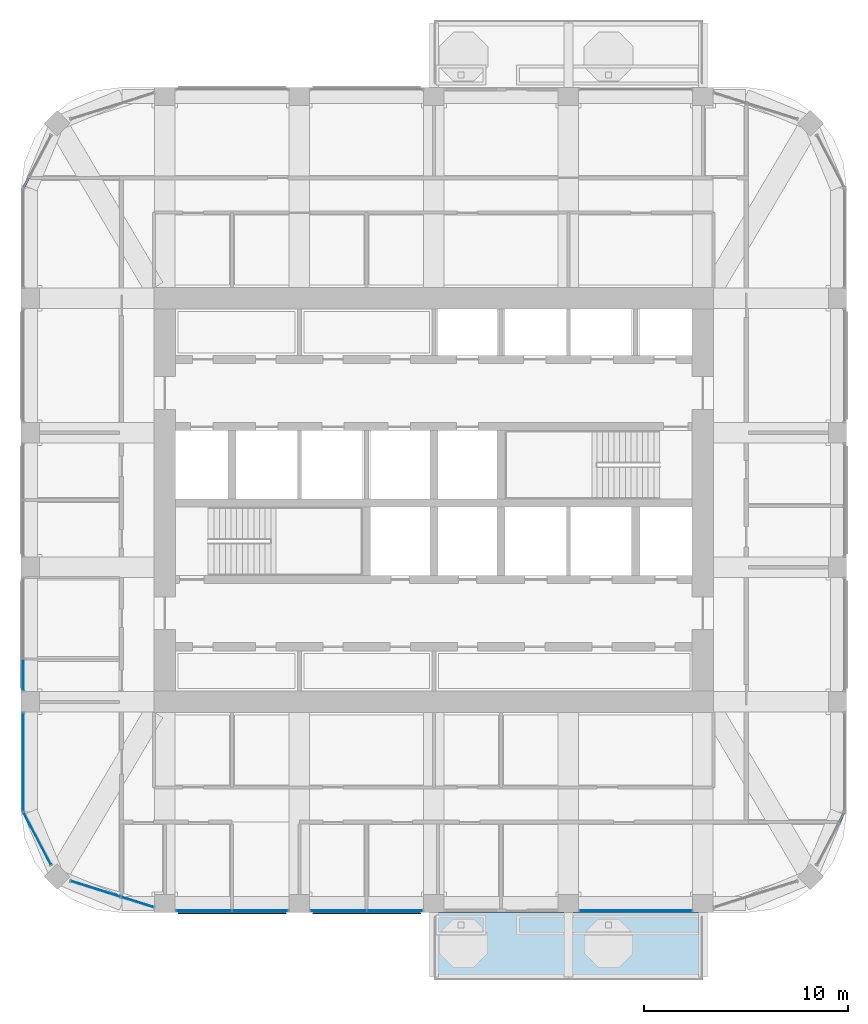
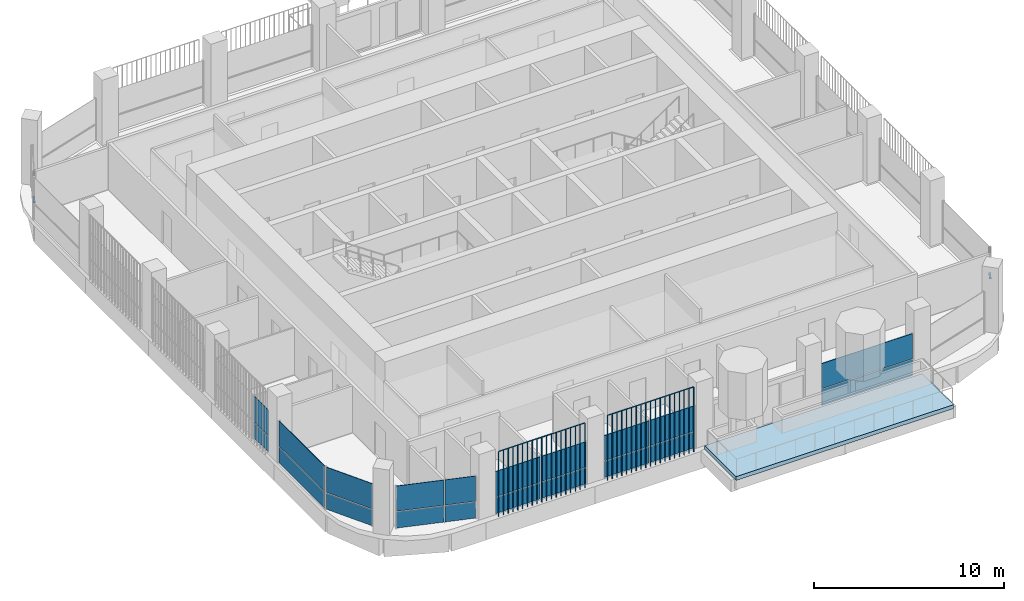
# One storey, part 8 of 21: 22 plates, 2 members, 1 slab, 9 elements without a shape of their own.
"""IFC4 building model written with IfcOpenShell, lengths in metres."""

import ifcopenshell
import ifcopenshell.guid

model = None  # the IFC model being written
_history = None  # IfcOwnerHistory: only IFC2X3 demands one
_inside = {}  # id of a spatial element -> (the spatial element, [elements in it])
_under = {}  # id of a project, library or spatial element -> (it, [spatial elements below it])
_declared = {}  # id of a project -> (the project, [libraries it declares])
_typed = {}  # id of a type object -> (the type object, [elements of that type])
_made_of = {}  # id of a material, layer set ... -> (it, [elements and type objects made of it])


def new_model(schema):
    """Start an empty IFC model of exactly this schema.

    Asked for "IFC4X3", IfcOpenShell would pick the latest addendum, in which some entities
    have other attributes; the version numbers below select the first issue.
    IFC2X3 requires an IfcOwnerHistory on every rooted entity: one is made here for all.
    """
    global model, _history
    if schema == "IFC4X3":
        model = ifcopenshell.file(schema_version=(4, 3, 0, 0))
    else:
        model = ifcopenshell.file(schema=schema)
    _inside.clear()
    _under.clear()
    _declared.clear()
    _typed.clear()
    _made_of.clear()
    _history = None
    if model.schema == "IFC2X3":
        org = make("IfcOrganization", Name="unknown")
        user = make(
            "IfcPersonAndOrganization",
            ThePerson=make("IfcPerson", FamilyName="unknown"),
            TheOrganization=org,
        )
        app = make(
            "IfcApplication",
            ApplicationDeveloper=org,
            Version="unknown",
            ApplicationFullName="unknown",
            ApplicationIdentifier="unknown",
        )
        _history = make(
            "IfcOwnerHistory",
            OwningUser=user,
            OwningApplication=app,
            ChangeAction="ADDED",
            CreationDate=0,
        )
    return model


def make(cls, **values):
    """One entity of the class cls with the attributes given. An attribute that is None is left unset."""
    return model.create_entity(
        cls, **{name: value for name, value in values.items() if value is not None}
    )


def rooted(cls, **values):
    """An entity with a GlobalId (a new one), such as an element, a storey or a relation."""
    return make(cls, GlobalId=ifcopenshell.guid.new(), OwnerHistory=_history, **values)


def si_unit(unit_type, name, prefix=None):
    """IfcSIUnit, for example si_unit("LENGTHUNIT", "METRE", prefix="MILLI")."""
    return make("IfcSIUnit", UnitType=unit_type, Prefix=prefix, Name=name)


def assignment(units):
    """IfcUnitAssignment: the units of a project."""
    return None if units is None else make("IfcUnitAssignment", Units=units)


def point(xyz):
    """IfcCartesianPoint."""
    return None if xyz is None else make("IfcCartesianPoint", Coordinates=xyz)


def direction(xyz):
    """IfcDirection."""
    return None if xyz is None else make("IfcDirection", DirectionRatios=xyz)


def frame(location, z_axis=None, x_axis=None):
    """IfcAxis2Placement3D, a coordinate frame: its origin and axes. An axis left out is left unset."""
    return make(
        "IfcAxis2Placement3D",
        Location=point(location),
        Axis=direction(z_axis),
        RefDirection=direction(x_axis),
    )


def frame_2d(location, x_axis=None):
    """IfcAxis2Placement2D, a coordinate frame in the plane: its origin and x axis."""
    return make(
        "IfcAxis2Placement2D", Location=point(location), RefDirection=direction(x_axis)
    )


def origin():
    """The frame at (0, 0, 0) with its axes left unset."""
    return frame((0.0, 0.0, 0.0))


def origin_2d():
    """The frame at (0, 0) in the plane with its x axis left unset."""
    return frame_2d((0.0, 0.0))


def place(relative_to, where):
    """IfcLocalPlacement: puts the frame where relative to a parent placement (None: the world)."""
    return make(
        "IfcLocalPlacement", PlacementRelTo=relative_to, RelativePlacement=where
    )


def context(
    kind, dimensions, precision=None, world=None, true_north=None, identifier=None
):
    """IfcGeometricRepresentationContext, for example the 3D "Model" context."""
    return make(
        "IfcGeometricRepresentationContext",
        ContextIdentifier=identifier,
        ContextType=kind,
        CoordinateSpaceDimension=dimensions,
        Precision=precision,
        WorldCoordinateSystem=world,
        TrueNorth=true_north,
    )


def subcontext(parent, identifier, kind, view, scale=None):
    """IfcGeometricRepresentationSubContext, for example "Body" below "Model"."""
    return make(
        "IfcGeometricRepresentationSubContext",
        ContextIdentifier=identifier,
        ContextType=kind,
        ParentContext=parent,
        TargetScale=scale,
        TargetView=view,
    )


def project(units=None, contexts=None):
    """IfcProject with its units and contexts."""
    return rooted(
        "IfcProject",
        Name="project",
        RepresentationContexts=contexts,
        UnitsInContext=assignment(units),
    )


def spatial(cls, under=None, at=None, **own):
    """A site, building, storey or space (cls), placed at a placement, below another one or the project."""
    s = rooted(cls, ObjectPlacement=at, **own)
    if under is not None:
        _under.setdefault(under.id(), (under, []))[1].append(s)
    return s


def polyline(points):
    """IfcPolyline through the points."""
    return make("IfcPolyline", Points=[point(p) for p in points])


def profile(cls, at=None, kind="AREA", **sizes):
    """A parametric profile (cls). Its sizes go by their IFC names, for example OverallWidth=200.0."""
    return make(cls, ProfileType=kind, Position=at, **sizes)


def rectangle(**sizes):
    """IfcRectangleProfileDef."""
    return profile("IfcRectangleProfileDef", **sizes)


def outline(outer, holes=None, kind="AREA"):
    """IfcArbitraryClosedProfileDef: a profile drawn as a closed curve; with holes, ...WithVoids."""
    if holes is None:
        return make("IfcArbitraryClosedProfileDef", ProfileType=kind, OuterCurve=outer)
    return make(
        "IfcArbitraryProfileDefWithVoids",
        ProfileType=kind,
        OuterCurve=outer,
        InnerCurves=holes,
    )


def extrude(swept, where, along, depth):
    """IfcExtrudedAreaSolid: the profile swept, set in the frame where, extruded along a direction by depth."""
    return make(
        "IfcExtrudedAreaSolid",
        SweptArea=swept,
        Position=where,
        ExtrudedDirection=direction(along),
        Depth=depth,
    )


def shape(context_of_items, identifier, shape_type, items):
    """IfcShapeRepresentation: the items that make up one representation, for example the "Body"."""
    return make(
        "IfcShapeRepresentation",
        ContextOfItems=context_of_items,
        RepresentationIdentifier=identifier,
        RepresentationType=shape_type,
        Items=items,
    )


def material(Name=None, Category=None):
    """IfcMaterial."""
    return make("IfcMaterial", Name=Name, Category=Category)


def layer(
    of_material, thickness, ventilated=None, Name=None, Category=None, Priority=None
):
    """IfcMaterialLayer: one layer of a wall or slab, of a material (None: an air gap)."""
    return make(
        "IfcMaterialLayer",
        Material=of_material,
        LayerThickness=thickness,
        IsVentilated=ventilated,
        Name=Name,
        Category=Category,
        Priority=Priority,
    )


def layer_set(layers, Name=None):
    """IfcMaterialLayerSet."""
    return make("IfcMaterialLayerSet", MaterialLayers=layers, LayerSetName=Name)


def material_profile(
    of_material, cross_section, Name=None, Category=None, Priority=None
):
    """IfcMaterialProfile: a cross section and its material."""
    return make(
        "IfcMaterialProfile",
        Name=Name,
        Material=of_material,
        Profile=cross_section,
        Priority=Priority,
        Category=Category,
    )


def profile_set(profiles, Name=None, composite=None):
    """IfcMaterialProfileSet."""
    return make(
        "IfcMaterialProfileSet",
        Name=Name,
        MaterialProfiles=profiles,
        CompositeProfile=composite,
    )


def made_of(thing, what):
    """Note that an element or type object is made of a material, layer set ...; save() writes the relation."""
    if what is not None:
        _made_of.setdefault(what.id(), (what, []))[1].append(thing)
    return thing


def type_object(cls, material=None, **own):
    """A type object (cls), such as IfcWallType, which elements share."""
    return made_of(rooted(cls, **own), material)


def element(
    cls,
    number,
    at=None,
    inside=None,
    cuts=None,
    type_object=None,
    material=None,
    context=None,
    identifier="Body",
    shape_type=None,
    held_by="IfcProductDefinitionShape",
    body=None,
    shapes=None,
    **own,
):
    """One element of the class cls, such as IfcWall. Its Tag is "e" and its number.

    at: its placement. inside: the storey or other place that contains it. cuts: it is an
    opening in that element (IfcRelVoidsElement). A single representation is given by context,
    identifier, shape_type and body (its items); several are given by shapes. held_by: the class
    of the entity that holds the representations. save() writes the other relations.
    """
    e = rooted(cls, Tag="e%d" % number, ObjectPlacement=at, **own)
    if body is not None:
        shapes = [shape(context, identifier, shape_type, body)]
    if shapes is not None:
        e.Representation = make(held_by, Representations=shapes)
    if inside is not None:
        _inside.setdefault(inside.id(), (inside, []))[1].append(e)
    if cuts is not None:
        rooted(
            "IfcRelVoidsElement", RelatingBuildingElement=cuts, RelatedOpeningElement=e
        )
    if type_object is not None:
        _typed.setdefault(type_object.id(), (type_object, []))[1].append(e)
    return made_of(e, material)


def aggregate(whole, parts):
    """IfcRelAggregates: a whole, such as a stair, and the parts it consists of."""
    return rooted("IfcRelAggregates", RelatingObject=whole, RelatedObjects=parts)


def save(model, path):
    """Write the relations noted so far, then the file.

    IfcRelAggregates (storeys below a building ...), IfcRelContainedInSpatialStructure (elements
    in a storey), IfcRelDefinesByType, IfcRelAssociatesMaterial and IfcRelDeclares: one each for
    every whole, place, type object, material and project.
    """
    for whole, parts in _under.values():
        aggregate(whole, parts)
    for where, things in _inside.values():
        rooted(
            "IfcRelContainedInSpatialStructure",
            RelatedElements=things,
            RelatingStructure=where,
        )
    for kind, things in _typed.values():
        rooted("IfcRelDefinesByType", RelatedObjects=things, RelatingType=kind)
    for what, things in _made_of.values():
        rooted("IfcRelAssociatesMaterial", RelatedObjects=things, RelatingMaterial=what)
    for by, libraries in _declared.values():
        rooted("IfcRelDeclares", RelatingContext=by, RelatedDefinitions=libraries)
    model.write(path)


model = new_model("IFC4")

# Units and contexts
model_context = context("Model", 3, precision=1e-05, world=origin(), true_north=direction((0.0, 1.0)))
body_context = subcontext(model_context, "Body", "Model", "MODEL_VIEW")
ifc_project = project(units=[si_unit("LENGTHUNIT", "METRE"), si_unit("AREAUNIT", "SQUARE_METRE"), si_unit("VOLUMEUNIT", "CUBIC_METRE"), si_unit("PLANEANGLEUNIT", "RADIAN"), si_unit("MASSUNIT", "GRAM", prefix="KILO")], contexts=[model_context])

# Site, building, storey
site_placement = place(None, origin())
site = spatial("IfcSite", under=ifc_project, at=site_placement, CompositionType="ELEMENT")
building_placement = place(site_placement, origin())
building = spatial("IfcBuilding", under=site, at=building_placement, Name="Cobogo Forest Laboratory Tower", CompositionType="ELEMENT")
storey_placement = place(building_placement, frame((0.0, 0.0, 258.60009765625)))
storey = spatial("IfcBuildingStorey", under=building, at=storey_placement, Name="L59", CompositionType="ELEMENT", Elevation=258.60009765625)

# Curtain wall, member
ifc_material_1 = material(Name="Aluminium curtain wall", Category="aluminium")
curtain_wall_type = type_object("IfcCurtainWallType", Name="CW-2 unitised curtain wall, solar control glazing, laboratory floors zones C and D", PredefinedType="USERDEFINED", material=ifc_material_1)
curtain_wall_1_placement = place(storey_placement, origin())
curtain_wall_1 = element("IfcCurtainWall", 1, at=curtain_wall_1_placement, inside=storey, type_object=curtain_wall_type, Name="Curtain wall 06 L59", ObjectType="UNITISED CURTAIN WALL", PredefinedType="USERDEFINED")
ifc_material_2 = material(Name="Aluminium transom", Category="aluminium")
ifc_material_profile = material_profile(ifc_material_2, rectangle(XDim=0.1201171875, YDim=0.06005859375, at=origin_2d()), Name="AL 60x120")
ifc_profile_set = profile_set([ifc_material_profile], Name="Aluminium transom")
member_type = type_object("IfcMemberType", Name="TR-1 aluminium transom 60x120", PredefinedType="USERDEFINED", material=ifc_profile_set)
member_1_placement = place(storey_placement, frame((46.282470703125, 7.289306640625, 1.0498046875), z_axis=(0.46414828098, 0.885757513806, 0.0), x_axis=(-0.885757513806, 0.46414828098, 0.0)))
member_1 = element("IfcMember", 2, at=member_1_placement, type_object=member_type, Name="CW-2 transom 2.1", ObjectType="TRANSOM", PredefinedType="USERDEFINED", context=body_context, shape_type="SweptSolid", body=[
    extrude(rectangle(XDim=0.1201171875, YDim=0.06005859375, at=origin_2d()), origin(), (0.0, 0.0, 1.0), 0.5166015625),
])
aggregate(curtain_wall_1, [member_1])

curtain_wall_2_placement = place(storey_placement, origin())
curtain_wall_2 = element("IfcCurtainWall", 3, at=curtain_wall_2_placement, inside=storey, type_object=curtain_wall_type, Name="Curtain wall 19 L59", ObjectType="UNITISED CURTAIN WALL", PredefinedType="USERDEFINED")
member_2_placement = place(storey_placement, frame((6.517578125, 38.91064453125, 1.0498046875), z_axis=(-0.46414828098, -0.885757513806, 0.0), x_axis=(0.885757513806, -0.46414828098, 0.0)))
member_2 = element("IfcMember", 4, at=member_2_placement, type_object=member_type, Name="CW-2 transom 2.1", ObjectType="TRANSOM", PredefinedType="USERDEFINED", context=body_context, shape_type="SweptSolid", body=[
    extrude(rectangle(XDim=0.1201171875, YDim=0.06005859375, at=origin_2d()), origin(), (0.0, 0.0, 1.0), 0.5166015625),
])
aggregate(curtain_wall_2, [member_2])

# Slab
ifc_material_3 = material(Name="Concrete HA-40 (C40/50)", Category="concrete")
ifc_layer_1 = layer(ifc_material_3, 0.25)
ifc_layer_set_1 = layer_set([ifc_layer_1], Name="Balcony slab 250")
slab_type = type_object("IfcSlabType", Name="Balcony slab 250", PredefinedType="FLOOR", material=ifc_layer_set_1)
slab_placement = place(storey_placement, frame((0.0, 0.0, -0.25)))
element("IfcSlab", 5, at=slab_placement, inside=storey, type_object=slab_type, Name="Balcony BAL-S1 L59", PredefinedType="FLOOR", context=body_context, shape_type="SweptSolid", body=[
    extrude(outline(polyline([(26.39990234375, -0.449951171875), (39.60009765625, -0.449951171875), (39.60009765625, 2.85009765625), (26.39990234375, 2.85009765625), (26.39990234375, -0.449951171875)])), origin(), (0.0, 0.0, 1.0), 0.25),
])

# Curtain wall, plates
curtain_wall_3_placement = place(storey_placement, origin())
curtain_wall_3 = element("IfcCurtainWall", 6, at=curtain_wall_3_placement, inside=storey, type_object=curtain_wall_type, Name="Curtain wall 01 L59", ObjectType="UNITISED CURTAIN WALL", PredefinedType="USERDEFINED")
ifc_material_4 = material(Name="Solar control insulated glass", Category="glass")
ifc_layer_2 = layer(ifc_material_4, 0.031982421875)
ifc_layer_set_2 = layer_set([ifc_layer_2], Name="GP-2 solar control glass unit 32")
plate_type_1 = type_object("IfcPlateType", Name="GP-2 solar control glass unit 32", PredefinedType="CURTAIN_PANEL", material=ifc_layer_set_2)
plate_1_placement = place(storey_placement, frame((15.114990234375, 2.949951171875, 0.0), z_axis=(0.0, 0.0, 1.0), x_axis=(1.0, 0.0, 0.0)))
plate_1 = element("IfcPlate", 7, at=plate_1_placement, type_object=plate_type_1, Name="CW-2 panel 1.1", PredefinedType="CURTAIN_PANEL", context=body_context, shape_type="SweptSolid", body=[
    extrude(rectangle(XDim=2.7099609375, YDim=0.031982421875, at=origin_2d()), origin(), (0.0, 0.0, 1.0), 1.02001953125),
])
plate_2_placement = place(storey_placement, frame((15.114990234375, 2.949951171875, 1.079833984375), z_axis=(0.0, 0.0, 1.0), x_axis=(1.0, 0.0, 0.0)))
plate_2 = element("IfcPlate", 8, at=plate_2_placement, type_object=plate_type_1, Name="CW-2 panel 1.2", PredefinedType="CURTAIN_PANEL", context=body_context, shape_type="SweptSolid", body=[
    extrude(rectangle(XDim=2.7099609375, YDim=0.031982421875, at=origin_2d()), origin(), (0.0, 0.0, 1.0), 1.6201171875),
])
plate_3_placement = place(storey_placement, frame((17.885009765625, 2.949951171875, 0.0), z_axis=(0.0, 0.0, 1.0), x_axis=(1.0, 0.0, 0.0)))
plate_3 = element("IfcPlate", 9, at=plate_3_placement, type_object=plate_type_1, Name="CW-2 panel 2.1", PredefinedType="CURTAIN_PANEL", context=body_context, shape_type="SweptSolid", body=[
    extrude(rectangle(XDim=2.7099609375, YDim=0.031982421875, at=origin_2d()), origin(), (0.0, 0.0, 1.0), 1.02001953125),
])
plate_4_placement = place(storey_placement, frame((17.885009765625, 2.949951171875, 1.079833984375), z_axis=(0.0, 0.0, 1.0), x_axis=(1.0, 0.0, 0.0)))
plate_4 = element("IfcPlate", 10, at=plate_4_placement, type_object=plate_type_1, Name="CW-2 panel 2.2", PredefinedType="CURTAIN_PANEL", context=body_context, shape_type="SweptSolid", body=[
    extrude(rectangle(XDim=2.7099609375, YDim=0.031982421875, at=origin_2d()), origin(), (0.0, 0.0, 1.0), 1.6201171875),
])
aggregate(curtain_wall_3, [plate_1, plate_2, plate_3, plate_4])

curtain_wall_4_placement = place(storey_placement, origin())
curtain_wall_4 = element("IfcCurtainWall", 11, at=curtain_wall_4_placement, inside=storey, type_object=curtain_wall_type, Name="Curtain wall 02 L59", ObjectType="UNITISED CURTAIN WALL", PredefinedType="USERDEFINED")
plate_5_placement = place(storey_placement, frame((21.715087890625, 2.949951171875, 0.0), z_axis=(0.0, 0.0, 1.0), x_axis=(1.0, 0.0, 0.0)))
plate_5 = element("IfcPlate", 12, at=plate_5_placement, type_object=plate_type_1, Name="CW-2 panel 1.1", PredefinedType="CURTAIN_PANEL", context=body_context, shape_type="SweptSolid", body=[
    extrude(rectangle(XDim=2.7099609375, YDim=0.031982421875, at=origin_2d()), origin(), (0.0, 0.0, 1.0), 1.02001953125),
])
plate_6_placement = place(storey_placement, frame((21.715087890625, 2.949951171875, 1.079833984375), z_axis=(0.0, 0.0, 1.0), x_axis=(1.0, 0.0, 0.0)))
plate_6 = element("IfcPlate", 13, at=plate_6_placement, type_object=plate_type_1, Name="CW-2 panel 1.2", PredefinedType="CURTAIN_PANEL", context=body_context, shape_type="SweptSolid", body=[
    extrude(rectangle(XDim=2.7099609375, YDim=0.031982421875, at=origin_2d()), origin(), (0.0, 0.0, 1.0), 1.6201171875),
])
plate_7_placement = place(storey_placement, frame((24.485107421875, 2.949951171875, 0.0), z_axis=(0.0, 0.0, 1.0), x_axis=(1.0, 0.0, 0.0)))
plate_7 = element("IfcPlate", 14, at=plate_7_placement, type_object=plate_type_1, Name="CW-2 panel 2.1", PredefinedType="CURTAIN_PANEL", context=body_context, shape_type="SweptSolid", body=[
    extrude(rectangle(XDim=2.7099609375, YDim=0.031982421875, at=origin_2d()), origin(), (0.0, 0.0, 1.0), 1.02001953125),
])
plate_8_placement = place(storey_placement, frame((24.485107421875, 2.949951171875, 1.079833984375), z_axis=(0.0, 0.0, 1.0), x_axis=(1.0, 0.0, 0.0)))
plate_8 = element("IfcPlate", 15, at=plate_8_placement, type_object=plate_type_1, Name="CW-2 panel 2.2", PredefinedType="CURTAIN_PANEL", context=body_context, shape_type="SweptSolid", body=[
    extrude(rectangle(XDim=2.7099609375, YDim=0.031982421875, at=origin_2d()), origin(), (0.0, 0.0, 1.0), 1.6201171875),
])
aggregate(curtain_wall_4, [plate_5, plate_6, plate_7, plate_8])

curtain_wall_5_placement = place(storey_placement, origin())
curtain_wall_5 = element("IfcCurtainWall", 16, at=curtain_wall_5_placement, inside=storey, type_object=curtain_wall_type, Name="Curtain wall 04 L59", ObjectType="UNITISED CURTAIN WALL", PredefinedType="USERDEFINED")
plate_9_placement = place(storey_placement, frame((36.300048828125, 2.949951171875, 0.0), z_axis=(0.0, 0.0, 1.0), x_axis=(1.0, 0.0, 0.0)))
plate_9 = element("IfcPlate", 17, at=plate_9_placement, type_object=plate_type_1, Name="CW-2 panel 1.1", PredefinedType="CURTAIN_PANEL", context=body_context, shape_type="SweptSolid", body=[
    extrude(rectangle(XDim=5.47998046875, YDim=0.031982421875, at=origin_2d()), origin(), (0.0, 0.0, 1.0), 1.02001953125),
])
plate_10_placement = place(storey_placement, frame((36.300048828125, 2.949951171875, 1.079833984375), z_axis=(0.0, 0.0, 1.0), x_axis=(1.0, 0.0, 0.0)))
plate_10 = element("IfcPlate", 18, at=plate_10_placement, type_object=plate_type_1, Name="CW-2 panel 1.2", PredefinedType="CURTAIN_PANEL", context=body_context, shape_type="SweptSolid", body=[
    extrude(rectangle(XDim=5.47998046875, YDim=0.031982421875, at=origin_2d()), origin(), (0.0, 0.0, 1.0), 1.6201171875),
])
aggregate(curtain_wall_5, [plate_9, plate_10])

curtain_wall_6_placement = place(storey_placement, origin())
curtain_wall_6 = element("IfcCurtainWall", 19, at=curtain_wall_6_placement, inside=storey, type_object=curtain_wall_type, Name="Curtain wall 23 L59", ObjectType="UNITISED CURTAIN WALL", PredefinedType="USERDEFINED")
plate_11_placement = place(storey_placement, frame((6.25, 14.514892578125, 0.0), z_axis=(0.0, 0.0, 1.0), x_axis=(0.0, -1.0, 0.0)))
plate_11 = element("IfcPlate", 20, at=plate_11_placement, type_object=plate_type_1, Name="CW-2 panel 2.1", PredefinedType="CURTAIN_PANEL", context=body_context, shape_type="SweptSolid", body=[
    extrude(rectangle(XDim=1.510009765625, YDim=0.031982421875, at=origin_2d()), origin(), (0.0, 0.0, 1.0), 1.02001953125),
])
plate_12_placement = place(storey_placement, frame((6.25, 14.514892578125, 1.079833984375), z_axis=(0.0, 0.0, 1.0), x_axis=(0.0, -1.0, 0.0)))
plate_12 = element("IfcPlate", 21, at=plate_12_placement, type_object=plate_type_1, Name="CW-2 panel 2.2", PredefinedType="CURTAIN_PANEL", context=body_context, shape_type="SweptSolid", body=[
    extrude(rectangle(XDim=1.510009765625, YDim=0.031982421875, at=origin_2d()), origin(), (0.0, 0.0, 1.0), 1.6201171875),
])
aggregate(curtain_wall_6, [plate_11, plate_12])

curtain_wall_7_placement = place(storey_placement, origin())
curtain_wall_7 = element("IfcCurtainWall", 22, at=curtain_wall_7_placement, inside=storey, type_object=curtain_wall_type, Name="Curtain wall 24 L59", ObjectType="UNITISED CURTAIN WALL", PredefinedType="USERDEFINED")
plate_13_placement = place(storey_placement, frame((6.25, 10.25, 0.0), z_axis=(0.0, 0.0, 1.0), x_axis=(0.0, -1.0, 0.0)))
plate_13 = element("IfcPlate", 23, at=plate_13_placement, type_object=plate_type_1, Name="CW-2 panel 1.1", PredefinedType="CURTAIN_PANEL", context=body_context, shape_type="SweptSolid", body=[
    extrude(rectangle(XDim=4.780029296875, YDim=0.031982421875, at=origin_2d()), origin(), (0.0, 0.0, 1.0), 1.02001953125),
])
plate_14_placement = place(storey_placement, frame((6.25, 10.25, 1.079833984375), z_axis=(0.0, 0.0, 1.0), x_axis=(0.0, -1.0, 0.0)))
plate_14 = element("IfcPlate", 24, at=plate_14_placement, type_object=plate_type_1, Name="CW-2 panel 1.2", PredefinedType="CURTAIN_PANEL", context=body_context, shape_type="SweptSolid", body=[
    extrude(rectangle(XDim=4.780029296875, YDim=0.031982421875, at=origin_2d()), origin(), (0.0, 0.0, 1.0), 1.6201171875),
])
aggregate(curtain_wall_7, [plate_13, plate_14])

curtain_wall_8_placement = place(storey_placement, origin())
curtain_wall_8 = element("IfcCurtainWall", 25, at=curtain_wall_8_placement, inside=storey, type_object=curtain_wall_type, Name="Curtain wall 25 L59", ObjectType="UNITISED CURTAIN WALL", PredefinedType="USERDEFINED")
plate_15_placement = place(storey_placement, frame((6.94287109375, 6.47802734375, 0.0), z_axis=(0.0, 0.0, 1.0), x_axis=(0.464283778337, -0.885686498245, 0.0)))
plate_15 = element("IfcPlate", 26, at=plate_15_placement, type_object=plate_type_1, Name="CW-2 panel 1.1", PredefinedType="CURTAIN_PANEL", context=body_context, shape_type="SweptSolid", body=[
    extrude(rectangle(XDim=2.864990234375, YDim=0.031982421875, at=origin_2d()), origin(), (0.0, 0.0, 1.0), 1.02001953125),
])
plate_16_placement = place(storey_placement, frame((6.94287109375, 6.47802734375, 1.079833984375), z_axis=(0.0, 0.0, 1.0), x_axis=(0.464283778337, -0.885686498245, 0.0)))
plate_16 = element("IfcPlate", 27, at=plate_16_placement, type_object=plate_type_1, Name="CW-2 panel 1.2", PredefinedType="CURTAIN_PANEL", context=body_context, shape_type="SweptSolid", body=[
    extrude(rectangle(XDim=2.864990234375, YDim=0.031982421875, at=origin_2d()), origin(), (0.0, 0.0, 1.0), 1.6201171875),
])
aggregate(curtain_wall_8, [plate_15, plate_16])

curtain_wall_9_placement = place(storey_placement, origin())
curtain_wall_9 = element("IfcCurtainWall", 28, at=curtain_wall_9_placement, inside=storey, type_object=curtain_wall_type, Name="Curtain wall 26 L59", ObjectType="UNITISED CURTAIN WALL", PredefinedType="USERDEFINED")
plate_17_placement = place(storey_placement, frame((9.810546875, 4.0205078125, 0.0), z_axis=(0.0, 0.0, 1.0), x_axis=(0.953581379409, -0.301135439371, 0.0)))
plate_17 = element("IfcPlate", 29, at=plate_17_placement, type_object=plate_type_1, Name="CW-2 panel 1.1", PredefinedType="CURTAIN_PANEL", context=body_context, shape_type="SweptSolid", body=[
    extrude(rectangle(XDim=2.541748046875, YDim=0.031982421875, at=origin_2d()), origin(), (0.0, 0.0, 1.0), 1.02001953125),
])
plate_18_placement = place(storey_placement, frame((9.810546875, 4.0205078125, 1.079833984375), z_axis=(0.0, 0.0, 1.0), x_axis=(0.953581379409, -0.301135439371, 0.0)))
plate_18 = element("IfcPlate", 30, at=plate_18_placement, type_object=plate_type_1, Name="CW-2 panel 1.2", PredefinedType="CURTAIN_PANEL", context=body_context, shape_type="SweptSolid", body=[
    extrude(rectangle(XDim=2.541748046875, YDim=0.031982421875, at=origin_2d()), origin(), (0.0, 0.0, 1.0), 1.6201171875),
])
plate_19_placement = place(storey_placement, frame((11.861083984375, 3.372802734375, 0.0), z_axis=(0.0, 0.0, 1.0), x_axis=(0.953581379409, -0.301135439371, 0.0)))
plate_19 = element("IfcPlate", 31, at=plate_19_placement, type_object=plate_type_1, Name="CW-2 panel 2.1", PredefinedType="CURTAIN_PANEL", context=body_context, shape_type="SweptSolid", body=[
    extrude(rectangle(XDim=1.639404296875, YDim=0.031982421875, at=origin_2d()), origin(), (0.0, 0.0, 1.0), 1.02001953125),
])
plate_20_placement = place(storey_placement, frame((11.861083984375, 3.372802734375, 1.079833984375), z_axis=(0.0, 0.0, 1.0), x_axis=(0.953581379409, -0.301135439371, 0.0)))
plate_20 = element("IfcPlate", 32, at=plate_20_placement, type_object=plate_type_1, Name="CW-2 panel 2.2", PredefinedType="CURTAIN_PANEL", context=body_context, shape_type="SweptSolid", body=[
    extrude(rectangle(XDim=1.639404296875, YDim=0.031982421875, at=origin_2d()), origin(), (0.0, 0.0, 1.0), 1.6201171875),
])
aggregate(curtain_wall_9, [plate_17, plate_18, plate_19, plate_20])

# Plates
ifc_material_5 = material(Name="Terracotta", Category="masonry")
plate_type_2 = type_object("IfcPlateType", Name="TB1 terracotta baguette screen", PredefinedType="USERDEFINED", material=ifc_material_5)
plate_21_placement = place(storey_placement, frame((13.88134765625, 2.822021484375, -0.150146484375)))
element("IfcPlate", 33, at=plate_21_placement, inside=storey, type_object=plate_type_2, Name="Baguette screen S1 L59", ObjectType="BAGUETTE SCREEN", PredefinedType="USERDEFINED", context=body_context, shape_type="SweptSolid", body=[
    extrude(outline(polyline([(0.02880859375, 0.011962890625), (0.011962890625, 0.02880859375), (-0.011962890625, 0.02880859375), (-0.02880859375, 0.011962890625), (-0.02880859375, -0.011962890625), (-0.011962890625, -0.02880859375), (0.011962890625, -0.02880859375), (0.02880859375, -0.011962890625), (0.02880859375, 0.011962890625)])), frame((0.0, 0.0, 4.168701171875), z_axis=(1.0, 0.0, 0.0), x_axis=(0.0, 1.0, 0.0)), (0.0, 0.0, 1.0), 5.2373046875),
    extrude(outline(polyline([(0.02880859375, 0.011962890625), (0.011962890625, 0.02880859375), (-0.011962890625, 0.02880859375), (-0.02880859375, 0.011962890625), (-0.02880859375, -0.011962890625), (-0.011962890625, -0.02880859375), (0.011962890625, -0.02880859375), (0.02880859375, -0.011962890625), (0.02880859375, 0.011962890625)])), origin(), (0.0, 0.0, 1.0), 4.137451171875),
    extrude(outline(polyline([(0.02880859375, 0.011962890625), (0.011962890625, 0.02880859375), (-0.011962890625, 0.02880859375), (-0.02880859375, 0.011962890625), (-0.02880859375, -0.011962890625), (-0.011962890625, -0.02880859375), (0.011962890625, -0.02880859375), (0.02880859375, -0.011962890625), (0.02880859375, 0.011962890625)])), frame((0.291015625, 0.0, 0.0)), (0.0, 0.0, 1.0), 4.137451171875),
    extrude(outline(polyline([(0.02880859375, 0.011962890625), (0.011962890625, 0.02880859375), (-0.011962890625, 0.02880859375), (-0.02880859375, 0.011962890625), (-0.02880859375, -0.011962890625), (-0.011962890625, -0.02880859375), (0.011962890625, -0.02880859375), (0.02880859375, -0.011962890625), (0.02880859375, 0.011962890625)])), frame((0.58203125, 0.0, 0.0)), (0.0, 0.0, 1.0), 4.137451171875),
    extrude(outline(polyline([(0.02880859375, 0.011962890625), (0.011962890625, 0.02880859375), (-0.011962890625, 0.02880859375), (-0.02880859375, 0.011962890625), (-0.02880859375, -0.011962890625), (-0.011962890625, -0.02880859375), (0.011962890625, -0.02880859375), (0.02880859375, -0.011962890625), (0.02880859375, 0.011962890625)])), frame((0.872802734375, 0.0, 0.0)), (0.0, 0.0, 1.0), 4.137451171875),
    extrude(outline(polyline([(0.02880859375, 0.011962890625), (0.011962890625, 0.02880859375), (-0.011962890625, 0.02880859375), (-0.02880859375, 0.011962890625), (-0.02880859375, -0.011962890625), (-0.011962890625, -0.02880859375), (0.011962890625, -0.02880859375), (0.02880859375, -0.011962890625), (0.02880859375, 0.011962890625)])), frame((1.163818359375, 0.0, 0.0)), (0.0, 0.0, 1.0), 4.137451171875),
    extrude(outline(polyline([(0.02880859375, 0.011962890625), (0.011962890625, 0.02880859375), (-0.011962890625, 0.02880859375), (-0.02880859375, 0.011962890625), (-0.02880859375, -0.011962890625), (-0.011962890625, -0.02880859375), (0.011962890625, -0.02880859375), (0.02880859375, -0.011962890625), (0.02880859375, 0.011962890625)])), frame((1.454833984375, 0.0, 0.0)), (0.0, 0.0, 1.0), 4.137451171875),
    extrude(outline(polyline([(0.02880859375, 0.011962890625), (0.011962890625, 0.02880859375), (-0.011962890625, 0.02880859375), (-0.02880859375, 0.011962890625), (-0.02880859375, -0.011962890625), (-0.011962890625, -0.02880859375), (0.011962890625, -0.02880859375), (0.02880859375, -0.011962890625), (0.02880859375, 0.011962890625)])), frame((1.745849609375, 0.0, 0.0)), (0.0, 0.0, 1.0), 4.137451171875),
    extrude(outline(polyline([(0.02880859375, 0.011962890625), (0.011962890625, 0.02880859375), (-0.011962890625, 0.02880859375), (-0.02880859375, 0.011962890625), (-0.02880859375, -0.011962890625), (-0.011962890625, -0.02880859375), (0.011962890625, -0.02880859375), (0.02880859375, -0.011962890625), (0.02880859375, 0.011962890625)])), frame((2.03662109375, 0.0, 0.0)), (0.0, 0.0, 1.0), 4.137451171875),
    extrude(outline(polyline([(0.02880859375, 0.011962890625), (0.011962890625, 0.02880859375), (-0.011962890625, 0.02880859375), (-0.02880859375, 0.011962890625), (-0.02880859375, -0.011962890625), (-0.011962890625, -0.02880859375), (0.011962890625, -0.02880859375), (0.02880859375, -0.011962890625), (0.02880859375, 0.011962890625)])), frame((2.32763671875, 0.0, 0.0)), (0.0, 0.0, 1.0), 4.137451171875),
    extrude(outline(polyline([(0.02880859375, 0.011962890625), (0.011962890625, 0.02880859375), (-0.011962890625, 0.02880859375), (-0.02880859375, 0.011962890625), (-0.02880859375, -0.011962890625), (-0.011962890625, -0.02880859375), (0.011962890625, -0.02880859375), (0.02880859375, -0.011962890625), (0.02880859375, 0.011962890625)])), frame((2.61865234375, 0.0, 0.0)), (0.0, 0.0, 1.0), 4.137451171875),
    extrude(outline(polyline([(0.02880859375, 0.011962890625), (0.011962890625, 0.02880859375), (-0.011962890625, 0.02880859375), (-0.02880859375, 0.011962890625), (-0.02880859375, -0.011962890625), (-0.011962890625, -0.02880859375), (0.011962890625, -0.02880859375), (0.02880859375, -0.011962890625), (0.02880859375, 0.011962890625)])), frame((2.90966796875, 0.0, 0.0)), (0.0, 0.0, 1.0), 4.137451171875),
    extrude(outline(polyline([(0.02880859375, 0.011962890625), (0.011962890625, 0.02880859375), (-0.011962890625, 0.02880859375), (-0.02880859375, 0.011962890625), (-0.02880859375, -0.011962890625), (-0.011962890625, -0.02880859375), (0.011962890625, -0.02880859375), (0.02880859375, -0.011962890625), (0.02880859375, 0.011962890625)])), frame((3.20068359375, 0.0, 0.0)), (0.0, 0.0, 1.0), 4.137451171875),
    extrude(outline(polyline([(0.02880859375, 0.011962890625), (0.011962890625, 0.02880859375), (-0.011962890625, 0.02880859375), (-0.02880859375, 0.011962890625), (-0.02880859375, -0.011962890625), (-0.011962890625, -0.02880859375), (0.011962890625, -0.02880859375), (0.02880859375, -0.011962890625), (0.02880859375, 0.011962890625)])), frame((3.491455078125, 0.0, 0.0)), (0.0, 0.0, 1.0), 4.137451171875),
    extrude(outline(polyline([(0.02880859375, 0.011962890625), (0.011962890625, 0.02880859375), (-0.011962890625, 0.02880859375), (-0.02880859375, 0.011962890625), (-0.02880859375, -0.011962890625), (-0.011962890625, -0.02880859375), (0.011962890625, -0.02880859375), (0.02880859375, -0.011962890625), (0.02880859375, 0.011962890625)])), frame((3.782470703125, 0.0, 0.0)), (0.0, 0.0, 1.0), 4.137451171875),
    extrude(outline(polyline([(0.02880859375, 0.011962890625), (0.011962890625, 0.02880859375), (-0.011962890625, 0.02880859375), (-0.02880859375, 0.011962890625), (-0.02880859375, -0.011962890625), (-0.011962890625, -0.02880859375), (0.011962890625, -0.02880859375), (0.02880859375, -0.011962890625), (0.02880859375, 0.011962890625)])), frame((4.073486328125, 0.0, 0.0)), (0.0, 0.0, 1.0), 4.137451171875),
    extrude(outline(polyline([(0.02880859375, 0.011962890625), (0.011962890625, 0.02880859375), (-0.011962890625, 0.02880859375), (-0.02880859375, 0.011962890625), (-0.02880859375, -0.011962890625), (-0.011962890625, -0.02880859375), (0.011962890625, -0.02880859375), (0.02880859375, -0.011962890625), (0.02880859375, 0.011962890625)])), frame((4.364501953125, 0.0, 0.0)), (0.0, 0.0, 1.0), 4.137451171875),
    extrude(outline(polyline([(0.02880859375, 0.011962890625), (0.011962890625, 0.02880859375), (-0.011962890625, 0.02880859375), (-0.02880859375, 0.011962890625), (-0.02880859375, -0.011962890625), (-0.011962890625, -0.02880859375), (0.011962890625, -0.02880859375), (0.02880859375, -0.011962890625), (0.02880859375, 0.011962890625)])), frame((4.6552734375, 0.0, 0.0)), (0.0, 0.0, 1.0), 4.137451171875),
    extrude(outline(polyline([(0.02880859375, 0.011962890625), (0.011962890625, 0.02880859375), (-0.011962890625, 0.02880859375), (-0.02880859375, 0.011962890625), (-0.02880859375, -0.011962890625), (-0.011962890625, -0.02880859375), (0.011962890625, -0.02880859375), (0.02880859375, -0.011962890625), (0.02880859375, 0.011962890625)])), frame((4.9462890625, 0.0, 0.0)), (0.0, 0.0, 1.0), 4.137451171875),
    extrude(outline(polyline([(0.02880859375, 0.011962890625), (0.011962890625, 0.02880859375), (-0.011962890625, 0.02880859375), (-0.02880859375, 0.011962890625), (-0.02880859375, -0.011962890625), (-0.011962890625, -0.02880859375), (0.011962890625, -0.02880859375), (0.02880859375, -0.011962890625), (0.02880859375, 0.011962890625)])), frame((5.2373046875, 0.0, 0.0)), (0.0, 0.0, 1.0), 4.137451171875),
])
plate_22_placement = place(storey_placement, frame((20.481201171875, 2.822021484375, -0.150146484375)))
element("IfcPlate", 34, at=plate_22_placement, inside=storey, type_object=plate_type_2, Name="Baguette screen S2 L59", ObjectType="BAGUETTE SCREEN", PredefinedType="USERDEFINED", context=body_context, shape_type="SweptSolid", body=[
    extrude(outline(polyline([(0.02880859375, 0.011962890625), (0.011962890625, 0.02880859375), (-0.011962890625, 0.02880859375), (-0.02880859375, 0.011962890625), (-0.02880859375, -0.011962890625), (-0.011962890625, -0.02880859375), (0.011962890625, -0.02880859375), (0.02880859375, -0.011962890625), (0.02880859375, 0.011962890625)])), frame((0.0, 0.0, 4.168701171875), z_axis=(1.0, 0.0, 0.0), x_axis=(0.0, 1.0, 0.0)), (0.0, 0.0, 1.0), 5.237548828125),
    extrude(outline(polyline([(0.02880859375, 0.011962890625), (0.011962890625, 0.02880859375), (-0.011962890625, 0.02880859375), (-0.02880859375, 0.011962890625), (-0.02880859375, -0.011962890625), (-0.011962890625, -0.02880859375), (0.011962890625, -0.02880859375), (0.02880859375, -0.011962890625), (0.02880859375, 0.011962890625)])), origin(), (0.0, 0.0, 1.0), 4.137451171875),
    extrude(outline(polyline([(0.02880859375, 0.011962890625), (0.011962890625, 0.02880859375), (-0.011962890625, 0.02880859375), (-0.02880859375, 0.011962890625), (-0.02880859375, -0.011962890625), (-0.011962890625, -0.02880859375), (0.011962890625, -0.02880859375), (0.02880859375, -0.011962890625), (0.02880859375, 0.011962890625)])), frame((0.291015625, 0.0, 0.0)), (0.0, 0.0, 1.0), 4.137451171875),
    extrude(outline(polyline([(0.02880859375, 0.011962890625), (0.011962890625, 0.02880859375), (-0.011962890625, 0.02880859375), (-0.02880859375, 0.011962890625), (-0.02880859375, -0.011962890625), (-0.011962890625, -0.02880859375), (0.011962890625, -0.02880859375), (0.02880859375, -0.011962890625), (0.02880859375, 0.011962890625)])), frame((0.58203125, 0.0, 0.0)), (0.0, 0.0, 1.0), 4.137451171875),
    extrude(outline(polyline([(0.02880859375, 0.011962890625), (0.011962890625, 0.02880859375), (-0.011962890625, 0.02880859375), (-0.02880859375, 0.011962890625), (-0.02880859375, -0.011962890625), (-0.011962890625, -0.02880859375), (0.011962890625, -0.02880859375), (0.02880859375, -0.011962890625), (0.02880859375, 0.011962890625)])), frame((0.873046875, 0.0, 0.0)), (0.0, 0.0, 1.0), 4.137451171875),
    extrude(outline(polyline([(0.02880859375, 0.011962890625), (0.011962890625, 0.02880859375), (-0.011962890625, 0.02880859375), (-0.02880859375, 0.011962890625), (-0.02880859375, -0.011962890625), (-0.011962890625, -0.02880859375), (0.011962890625, -0.02880859375), (0.02880859375, -0.011962890625), (0.02880859375, 0.011962890625)])), frame((1.163818359375, 0.0, 0.0)), (0.0, 0.0, 1.0), 4.137451171875),
    extrude(outline(polyline([(0.02880859375, 0.011962890625), (0.011962890625, 0.02880859375), (-0.011962890625, 0.02880859375), (-0.02880859375, 0.011962890625), (-0.02880859375, -0.011962890625), (-0.011962890625, -0.02880859375), (0.011962890625, -0.02880859375), (0.02880859375, -0.011962890625), (0.02880859375, 0.011962890625)])), frame((1.454833984375, 0.0, 0.0)), (0.0, 0.0, 1.0), 4.137451171875),
    extrude(outline(polyline([(0.02880859375, 0.011962890625), (0.011962890625, 0.02880859375), (-0.011962890625, 0.02880859375), (-0.02880859375, 0.011962890625), (-0.02880859375, -0.011962890625), (-0.011962890625, -0.02880859375), (0.011962890625, -0.02880859375), (0.02880859375, -0.011962890625), (0.02880859375, 0.011962890625)])), frame((1.745849609375, 0.0, 0.0)), (0.0, 0.0, 1.0), 4.137451171875),
    extrude(outline(polyline([(0.02880859375, 0.011962890625), (0.011962890625, 0.02880859375), (-0.011962890625, 0.02880859375), (-0.02880859375, 0.011962890625), (-0.02880859375, -0.011962890625), (-0.011962890625, -0.02880859375), (0.011962890625, -0.02880859375), (0.02880859375, -0.011962890625), (0.02880859375, 0.011962890625)])), frame((2.036865234375, 0.0, 0.0)), (0.0, 0.0, 1.0), 4.137451171875),
    extrude(outline(polyline([(0.02880859375, 0.011962890625), (0.011962890625, 0.02880859375), (-0.011962890625, 0.02880859375), (-0.02880859375, 0.011962890625), (-0.02880859375, -0.011962890625), (-0.011962890625, -0.02880859375), (0.011962890625, -0.02880859375), (0.02880859375, -0.011962890625), (0.02880859375, 0.011962890625)])), frame((2.327880859375, 0.0, 0.0)), (0.0, 0.0, 1.0), 4.137451171875),
    extrude(outline(polyline([(0.02880859375, 0.011962890625), (0.011962890625, 0.02880859375), (-0.011962890625, 0.02880859375), (-0.02880859375, 0.011962890625), (-0.02880859375, -0.011962890625), (-0.011962890625, -0.02880859375), (0.011962890625, -0.02880859375), (0.02880859375, -0.011962890625), (0.02880859375, 0.011962890625)])), frame((2.61865234375, 0.0, 0.0)), (0.0, 0.0, 1.0), 4.137451171875),
    extrude(outline(polyline([(0.02880859375, 0.011962890625), (0.011962890625, 0.02880859375), (-0.011962890625, 0.02880859375), (-0.02880859375, 0.011962890625), (-0.02880859375, -0.011962890625), (-0.011962890625, -0.02880859375), (0.011962890625, -0.02880859375), (0.02880859375, -0.011962890625), (0.02880859375, 0.011962890625)])), frame((2.90966796875, 0.0, 0.0)), (0.0, 0.0, 1.0), 4.137451171875),
    extrude(outline(polyline([(0.02880859375, 0.011962890625), (0.011962890625, 0.02880859375), (-0.011962890625, 0.02880859375), (-0.02880859375, 0.011962890625), (-0.02880859375, -0.011962890625), (-0.011962890625, -0.02880859375), (0.011962890625, -0.02880859375), (0.02880859375, -0.011962890625), (0.02880859375, 0.011962890625)])), frame((3.20068359375, 0.0, 0.0)), (0.0, 0.0, 1.0), 4.137451171875),
    extrude(outline(polyline([(0.02880859375, 0.011962890625), (0.011962890625, 0.02880859375), (-0.011962890625, 0.02880859375), (-0.02880859375, 0.011962890625), (-0.02880859375, -0.011962890625), (-0.011962890625, -0.02880859375), (0.011962890625, -0.02880859375), (0.02880859375, -0.011962890625), (0.02880859375, 0.011962890625)])), frame((3.49169921875, 0.0, 0.0)), (0.0, 0.0, 1.0), 4.137451171875),
    extrude(outline(polyline([(0.02880859375, 0.011962890625), (0.011962890625, 0.02880859375), (-0.011962890625, 0.02880859375), (-0.02880859375, 0.011962890625), (-0.02880859375, -0.011962890625), (-0.011962890625, -0.02880859375), (0.011962890625, -0.02880859375), (0.02880859375, -0.011962890625), (0.02880859375, 0.011962890625)])), frame((3.78271484375, 0.0, 0.0)), (0.0, 0.0, 1.0), 4.137451171875),
    extrude(outline(polyline([(0.02880859375, 0.011962890625), (0.011962890625, 0.02880859375), (-0.011962890625, 0.02880859375), (-0.02880859375, 0.011962890625), (-0.02880859375, -0.011962890625), (-0.011962890625, -0.02880859375), (0.011962890625, -0.02880859375), (0.02880859375, -0.011962890625), (0.02880859375, 0.011962890625)])), frame((4.07373046875, 0.0, 0.0)), (0.0, 0.0, 1.0), 4.137451171875),
    extrude(outline(polyline([(0.02880859375, 0.011962890625), (0.011962890625, 0.02880859375), (-0.011962890625, 0.02880859375), (-0.02880859375, 0.011962890625), (-0.02880859375, -0.011962890625), (-0.011962890625, -0.02880859375), (0.011962890625, -0.02880859375), (0.02880859375, -0.011962890625), (0.02880859375, 0.011962890625)])), frame((4.36474609375, 0.0, 0.0)), (0.0, 0.0, 1.0), 4.137451171875),
    extrude(outline(polyline([(0.02880859375, 0.011962890625), (0.011962890625, 0.02880859375), (-0.011962890625, 0.02880859375), (-0.02880859375, 0.011962890625), (-0.02880859375, -0.011962890625), (-0.011962890625, -0.02880859375), (0.011962890625, -0.02880859375), (0.02880859375, -0.011962890625), (0.02880859375, 0.011962890625)])), frame((4.655517578125, 0.0, 0.0)), (0.0, 0.0, 1.0), 4.137451171875),
    extrude(outline(polyline([(0.02880859375, 0.011962890625), (0.011962890625, 0.02880859375), (-0.011962890625, 0.02880859375), (-0.02880859375, 0.011962890625), (-0.02880859375, -0.011962890625), (-0.011962890625, -0.02880859375), (0.011962890625, -0.02880859375), (0.02880859375, -0.011962890625), (0.02880859375, 0.011962890625)])), frame((4.946533203125, 0.0, 0.0)), (0.0, 0.0, 1.0), 4.137451171875),
    extrude(outline(polyline([(0.02880859375, 0.011962890625), (0.011962890625, 0.02880859375), (-0.011962890625, 0.02880859375), (-0.02880859375, 0.011962890625), (-0.02880859375, -0.011962890625), (-0.011962890625, -0.02880859375), (0.011962890625, -0.02880859375), (0.02880859375, -0.011962890625), (0.02880859375, 0.011962890625)])), frame((5.237548828125, 0.0, 0.0)), (0.0, 0.0, 1.0), 4.137451171875),
])

save(model, "model.ifc")
